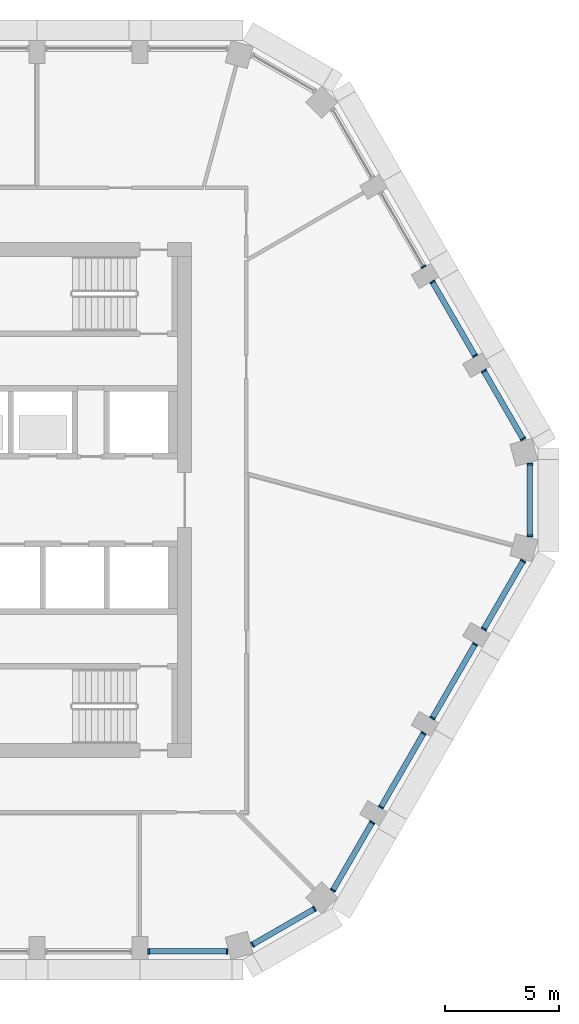
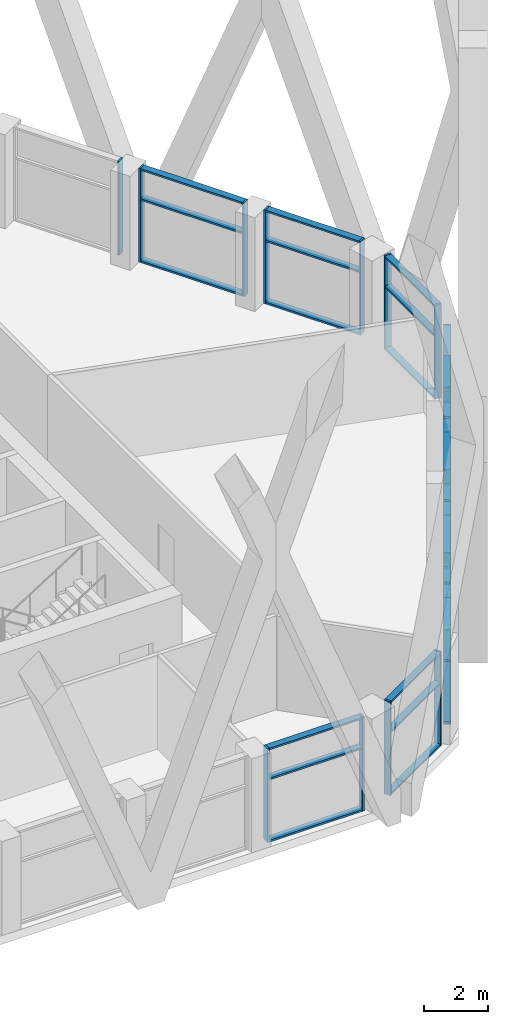
# One storey, part 4 of 20: 46 members, 10 elements without a shape of their own.
"""IFC4 building model written with IfcOpenShell, lengths in metres."""

from ifc_helpers import new_model, si_unit, direction, frame, origin, origin_2d, place, context, subcontext, project, spatial, rectangle, extrude, material, layer, layer_set, material_profile, profile_set, type_object, element, aggregate, save


model = new_model("IFC4")

# Units and contexts
model_context = context("Model", 3, precision=1e-05, world=origin(), true_north=direction((0.0, 1.0)))
body_context = subcontext(model_context, "Body", "Model", "MODEL_VIEW")
ifc_project = project(units=[si_unit("LENGTHUNIT", "METRE"), si_unit("AREAUNIT", "SQUARE_METRE"), si_unit("VOLUMEUNIT", "CUBIC_METRE"), si_unit("PLANEANGLEUNIT", "RADIAN"), si_unit("MASSUNIT", "GRAM", prefix="KILO")], contexts=[model_context])

# Site, building, storey
site_placement = place(None, origin())
site = spatial("IfcSite", under=ifc_project, at=site_placement, CompositionType="ELEMENT")
building_placement = place(site_placement, origin())
building = spatial("IfcBuilding", under=site, at=building_placement, Name="Dhurran Vertical Campus", CompositionType="ELEMENT")
storey_placement = place(building_placement, frame((0.0, 0.0, 235.199951171875)))
storey = spatial("IfcBuildingStorey", under=building, at=storey_placement, Name="L58", CompositionType="ELEMENT", Elevation=235.199951171875)

# Curtain wall, members
ifc_material_1 = material(Name="Aluminium frame with solar-control glass", Category="aluminium")
ifc_layer = layer(ifc_material_1, 0.25)
ifc_layer_set = layer_set([ifc_layer], Name="Aluminium frame with solar-control glass")
curtain_wall_type = type_object("IfcCurtainWallType", Name="Sky lobby glazing system", PredefinedType="NOTDEFINED", material=ifc_layer_set)
curtain_wall_1_placement = place(storey_placement, origin())
curtain_wall_1 = element("IfcCurtainWall", 1, at=curtain_wall_1_placement, inside=storey, type_object=curtain_wall_type, Name="CW3 L58.06", PredefinedType="NOTDEFINED")
ifc_material_2 = material(Name="Aluminium mullion", Category="aluminium")
ifc_material_profile_1 = material_profile(ifc_material_2, rectangle(XDim=0.239990234375, YDim=0.070068359375, at=origin_2d()), Name="Sky lobby glazing system mullion")
ifc_profile_set_1 = profile_set([ifc_material_profile_1], Name="Aluminium mullion")
member_type_1 = type_object("IfcMemberType", Name="Sky lobby glazing system mullion", PredefinedType="MULLION", material=ifc_profile_set_1)
member_1_placement = place(storey_placement, frame((11.635498046875, -19.738525390625, 0.0), z_axis=(0.0, 0.0, 1.0), x_axis=(0.0, 1.0, 0.0)))
member_1 = element("IfcMember", 2, at=member_1_placement, type_object=member_type_1, Name="CW3 mullion 1", PredefinedType="MULLION", context=body_context, shape_type="SweptSolid", body=[
    extrude(rectangle(XDim=0.239990234375, YDim=0.070068359375, at=origin_2d()), origin(), (0.0, 0.0, 1.0), 3.574951171875),
])
member_2_placement = place(storey_placement, frame((15.06298828125, -19.738525390625, 0.0), z_axis=(0.0, 0.0, 1.0), x_axis=(0.0, 1.0, 0.0)))
member_2 = element("IfcMember", 3, at=member_2_placement, type_object=member_type_1, Name="CW3 mullion 2", PredefinedType="MULLION", context=body_context, shape_type="SweptSolid", body=[
    extrude(rectangle(XDim=0.239990234375, YDim=0.070068359375, at=origin_2d()), origin(), (0.0, 0.0, 1.0), 3.574951171875),
])

curtain_wall_2_placement = place(storey_placement, origin())
curtain_wall_2 = element("IfcCurtainWall", 4, at=curtain_wall_2_placement, inside=storey, type_object=curtain_wall_type, Name="CW3 L58.07", PredefinedType="NOTDEFINED")
member_3_placement = place(storey_placement, frame((16.169921875, -19.44189453125, 0.0), z_axis=(0.0, 0.0, 1.0), x_axis=(-0.499998698825, 0.866026155017, 0.0)))
member_3 = element("IfcMember", 5, at=member_3_placement, type_object=member_type_1, Name="CW3 mullion 1", PredefinedType="MULLION", context=body_context, shape_type="SweptSolid", body=[
    extrude(rectangle(XDim=0.239990234375, YDim=0.070068359375, at=origin_2d()), origin(), (0.0, 0.0, 1.0), 3.574951171875),
])
member_4_placement = place(storey_placement, frame((18.877197265625, -17.87890625, 0.0), z_axis=(0.0, 0.0, 1.0), x_axis=(-0.499998698825, 0.866026155017, 0.0)))
member_4 = element("IfcMember", 6, at=member_4_placement, type_object=member_type_1, Name="CW3 mullion 2", PredefinedType="MULLION", context=body_context, shape_type="SweptSolid", body=[
    extrude(rectangle(XDim=0.239990234375, YDim=0.070068359375, at=origin_2d()), origin(), (0.0, 0.0, 1.0), 3.574951171875),
])

curtain_wall_3_placement = place(storey_placement, origin())
curtain_wall_3 = element("IfcCurtainWall", 7, at=curtain_wall_3_placement, inside=storey, type_object=curtain_wall_type, Name="CW3 L58.08", PredefinedType="NOTDEFINED")
member_5_placement = place(storey_placement, frame((19.6875, -17.068603515625, 0.0), z_axis=(0.0, 0.0, 1.0), x_axis=(-0.866019424312, 0.500010356607, 0.0)))
member_5 = element("IfcMember", 8, at=member_5_placement, type_object=member_type_1, Name="CW3 mullion 1", PredefinedType="MULLION", context=body_context, shape_type="SweptSolid", body=[
    extrude(rectangle(XDim=0.239990234375, YDim=0.070068359375, at=origin_2d()), origin(), (0.0, 0.0, 1.0), 3.574951171875),
])
member_6_placement = place(storey_placement, frame((21.4013671875, -14.10009765625, 0.0), z_axis=(0.0, 0.0, 1.0), x_axis=(-0.866019424312, 0.500010356607, 0.0)))
member_6 = element("IfcMember", 9, at=member_6_placement, type_object=member_type_1, Name="CW3 mullion 2", PredefinedType="MULLION", context=body_context, shape_type="SweptSolid", body=[
    extrude(rectangle(XDim=0.239990234375, YDim=0.070068359375, at=origin_2d()), origin(), (0.0, 0.0, 1.0), 3.574951171875),
])

curtain_wall_4_placement = place(storey_placement, origin())
curtain_wall_4 = element("IfcCurtainWall", 10, at=curtain_wall_4_placement, inside=storey, type_object=curtain_wall_type, Name="CW3 L58.09", PredefinedType="NOTDEFINED")
member_7_placement = place(storey_placement, frame((21.786865234375, -13.432373046875, 0.0), z_axis=(0.0, 0.0, 1.0), x_axis=(-0.866023396064, 0.500003477457, 0.0)))
member_7 = element("IfcMember", 11, at=member_7_placement, type_object=member_type_1, Name="CW3 mullion 1", PredefinedType="MULLION", context=body_context, shape_type="SweptSolid", body=[
    extrude(rectangle(XDim=0.239990234375, YDim=0.070068359375, at=origin_2d()), origin(), (0.0, 0.0, 1.0), 3.574951171875),
])
member_8_placement = place(storey_placement, frame((23.6513671875, -10.203125, 0.0), z_axis=(0.0, 0.0, 1.0), x_axis=(-0.866023396064, 0.500003477457, 0.0)))
member_8 = element("IfcMember", 12, at=member_8_placement, type_object=member_type_1, Name="CW3 mullion 2", PredefinedType="MULLION", context=body_context, shape_type="SweptSolid", body=[
    extrude(rectangle(XDim=0.239990234375, YDim=0.070068359375, at=origin_2d()), origin(), (0.0, 0.0, 1.0), 3.574951171875),
])

curtain_wall_5_placement = place(storey_placement, origin())
curtain_wall_5 = element("IfcCurtainWall", 13, at=curtain_wall_5_placement, inside=storey, type_object=curtain_wall_type, Name="CW3 L58.10", PredefinedType="NOTDEFINED")
member_9_placement = place(storey_placement, frame((24.036865234375, -9.535400390625, 0.0), z_axis=(0.0, 0.0, 1.0), x_axis=(-0.866023396064, 0.500003477457, 0.0)))
member_9 = element("IfcMember", 14, at=member_9_placement, type_object=member_type_1, Name="CW3 mullion 1", PredefinedType="MULLION", context=body_context, shape_type="SweptSolid", body=[
    extrude(rectangle(XDim=0.239990234375, YDim=0.070068359375, at=origin_2d()), origin(), (0.0, 0.0, 1.0), 3.574951171875),
])
member_10_placement = place(storey_placement, frame((25.9013671875, -6.305908203125, 0.0), z_axis=(0.0, 0.0, 1.0), x_axis=(-0.866023396064, 0.500003477457, 0.0)))
member_10 = element("IfcMember", 15, at=member_10_placement, type_object=member_type_1, Name="CW3 mullion 2", PredefinedType="MULLION", context=body_context, shape_type="SweptSolid", body=[
    extrude(rectangle(XDim=0.239990234375, YDim=0.070068359375, at=origin_2d()), origin(), (0.0, 0.0, 1.0), 3.574951171875),
])

curtain_wall_6_placement = place(storey_placement, origin())
curtain_wall_6 = element("IfcCurtainWall", 16, at=curtain_wall_6_placement, inside=storey, type_object=curtain_wall_type, Name="CW3 L58.11", PredefinedType="NOTDEFINED")
member_11_placement = place(storey_placement, frame((26.286865234375, -5.63818359375, 0.0), z_axis=(0.0, 0.0, 1.0), x_axis=(-0.866024656678, 0.500001294024, 0.0)))
member_11 = element("IfcMember", 17, at=member_11_placement, type_object=member_type_1, Name="CW3 mullion 1", PredefinedType="MULLION", context=body_context, shape_type="SweptSolid", body=[
    extrude(rectangle(XDim=0.239990234375, YDim=0.070068359375, at=origin_2d()), origin(), (0.0, 0.0, 1.0), 3.574951171875),
])
member_12_placement = place(storey_placement, frame((28.00048828125, -2.669921875, 0.0), z_axis=(0.0, 0.0, 1.0), x_axis=(-0.866024656678, 0.500001294024, 0.0)))
member_12 = element("IfcMember", 18, at=member_12_placement, type_object=member_type_1, Name="CW3 mullion 2", PredefinedType="MULLION", context=body_context, shape_type="SweptSolid", body=[
    extrude(rectangle(XDim=0.239990234375, YDim=0.070068359375, at=origin_2d()), origin(), (0.0, 0.0, 1.0), 3.574951171875),
])

curtain_wall_7_placement = place(storey_placement, origin())
curtain_wall_7 = element("IfcCurtainWall", 19, at=curtain_wall_7_placement, inside=storey, type_object=curtain_wall_type, Name="CW3 L58.12", PredefinedType="NOTDEFINED")
member_13_placement = place(storey_placement, frame((28.297119140625, -1.56298828125, 0.0), z_axis=(0.0, 0.0, 1.0), x_axis=(-1.0, 0.0, 0.0)))
member_13 = element("IfcMember", 20, at=member_13_placement, type_object=member_type_1, Name="CW3 mullion 1", PredefinedType="MULLION", context=body_context, shape_type="SweptSolid", body=[
    extrude(rectangle(XDim=0.239990234375, YDim=0.070068359375, at=origin_2d()), origin(), (0.0, 0.0, 1.0), 3.574951171875),
])
member_14_placement = place(storey_placement, frame((28.297119140625, 1.56298828125, 0.0), z_axis=(0.0, 0.0, 1.0), x_axis=(-1.0, 0.0, 0.0)))
member_14 = element("IfcMember", 21, at=member_14_placement, type_object=member_type_1, Name="CW3 mullion 2", PredefinedType="MULLION", context=body_context, shape_type="SweptSolid", body=[
    extrude(rectangle(XDim=0.239990234375, YDim=0.070068359375, at=origin_2d()), origin(), (0.0, 0.0, 1.0), 3.574951171875),
])

curtain_wall_8_placement = place(storey_placement, origin())
curtain_wall_8 = element("IfcCurtainWall", 22, at=curtain_wall_8_placement, inside=storey, type_object=curtain_wall_type, Name="CW3 L58.13", PredefinedType="NOTDEFINED")
member_15_placement = place(storey_placement, frame((28.00048828125, 2.669921875, 0.0), z_axis=(0.0, 0.0, 1.0), x_axis=(-0.866024656678, -0.500001294024, 0.0)))
member_15 = element("IfcMember", 23, at=member_15_placement, type_object=member_type_1, Name="CW3 mullion 1", PredefinedType="MULLION", context=body_context, shape_type="SweptSolid", body=[
    extrude(rectangle(XDim=0.239990234375, YDim=0.070068359375, at=origin_2d()), origin(), (0.0, 0.0, 1.0), 3.574951171875),
])
member_16_placement = place(storey_placement, frame((26.286865234375, 5.63818359375, 0.0), z_axis=(0.0, 0.0, 1.0), x_axis=(-0.866024656678, -0.500001294024, 0.0)))
member_16 = element("IfcMember", 24, at=member_16_placement, type_object=member_type_1, Name="CW3 mullion 2", PredefinedType="MULLION", context=body_context, shape_type="SweptSolid", body=[
    extrude(rectangle(XDim=0.239990234375, YDim=0.070068359375, at=origin_2d()), origin(), (0.0, 0.0, 1.0), 3.574951171875),
])

curtain_wall_9_placement = place(storey_placement, origin())
curtain_wall_9 = element("IfcCurtainWall", 25, at=curtain_wall_9_placement, inside=storey, type_object=curtain_wall_type, Name="CW3 L58.14", PredefinedType="NOTDEFINED")
member_17_placement = place(storey_placement, frame((25.9013671875, 6.305908203125, 0.0), z_axis=(0.0, 0.0, 1.0), x_axis=(-0.866023396064, -0.500003477457, 0.0)))
member_17 = element("IfcMember", 26, at=member_17_placement, type_object=member_type_1, Name="CW3 mullion 1", PredefinedType="MULLION", context=body_context, shape_type="SweptSolid", body=[
    extrude(rectangle(XDim=0.239990234375, YDim=0.070068359375, at=origin_2d()), origin(), (0.0, 0.0, 1.0), 3.574951171875),
])
member_18_placement = place(storey_placement, frame((24.036865234375, 9.535400390625, 0.0), z_axis=(0.0, 0.0, 1.0), x_axis=(-0.866023396064, -0.500003477457, 0.0)))
member_18 = element("IfcMember", 27, at=member_18_placement, type_object=member_type_1, Name="CW3 mullion 2", PredefinedType="MULLION", context=body_context, shape_type="SweptSolid", body=[
    extrude(rectangle(XDim=0.239990234375, YDim=0.070068359375, at=origin_2d()), origin(), (0.0, 0.0, 1.0), 3.574951171875),
])

# Curtain wall, member
curtain_wall_10_placement = place(storey_placement, origin())
curtain_wall_10 = element("IfcCurtainWall", 28, at=curtain_wall_10_placement, inside=storey, type_object=curtain_wall_type, Name="CW3 L58.15", PredefinedType="NOTDEFINED")
member_19_placement = place(storey_placement, frame((23.6513671875, 10.203125, 0.0), z_axis=(0.0, 0.0, 1.0), x_axis=(-0.866023396064, -0.500003477457, 0.0)))
member_19 = element("IfcMember", 29, at=member_19_placement, type_object=member_type_1, Name="CW3 mullion 1", PredefinedType="MULLION", context=body_context, shape_type="SweptSolid", body=[
    extrude(rectangle(XDim=0.239990234375, YDim=0.070068359375, at=origin_2d()), origin(), (0.0, 0.0, 1.0), 3.574951171875),
])
aggregate(curtain_wall_10, [member_19])

# Member
ifc_material_3 = material(Name="Aluminium transom", Category="aluminium")
ifc_material_profile_2 = material_profile(ifc_material_3, rectangle(XDim=0.239990234375, YDim=0.070068359375, at=origin_2d()), Name="Sky lobby glazing system transom")
ifc_profile_set_2 = profile_set([ifc_material_profile_2], Name="Aluminium transom")
member_type_2 = type_object("IfcMemberType", Name="Sky lobby glazing system transom", PredefinedType="USERDEFINED", material=ifc_profile_set_2)
member_20_placement = place(storey_placement, frame((11.67041015625, -19.738525390625, 0.03515625), z_axis=(1.0, 0.0, 0.0), x_axis=(0.0, 1.0, 0.0)))
member_20 = element("IfcMember", 30, at=member_20_placement, type_object=member_type_2, Name="CW3 transom 1.1", ObjectType="TRANSOM", PredefinedType="USERDEFINED", context=body_context, shape_type="SweptSolid", body=[
    extrude(rectangle(XDim=0.239990234375, YDim=0.070068359375, at=origin_2d()), origin(), (0.0, 0.0, 1.0), 3.357666015625),
])

member_21_placement = place(storey_placement, frame((11.67041015625, -19.738525390625, 2.400146484375), z_axis=(1.0, 0.0, 0.0), x_axis=(0.0, 1.0, 0.0)))
member_21 = element("IfcMember", 31, at=member_21_placement, type_object=member_type_2, Name="CW3 transom 1.2", ObjectType="TRANSOM", PredefinedType="USERDEFINED", context=body_context, shape_type="SweptSolid", body=[
    extrude(rectangle(XDim=0.239990234375, YDim=0.070068359375, at=origin_2d()), origin(), (0.0, 0.0, 1.0), 3.357666015625),
])

member_22_placement = place(storey_placement, frame((11.67041015625, -19.738525390625, 3.5400390625), z_axis=(1.0, 0.0, 0.0), x_axis=(0.0, 1.0, 0.0)))
member_22 = element("IfcMember", 32, at=member_22_placement, type_object=member_type_2, Name="CW3 transom 1.3", ObjectType="TRANSOM", PredefinedType="USERDEFINED", context=body_context, shape_type="SweptSolid", body=[
    extrude(rectangle(XDim=0.239990234375, YDim=0.070068359375, at=origin_2d()), origin(), (0.0, 0.0, 1.0), 3.357666015625),
])

aggregate(curtain_wall_1, [member_1, member_2, member_20, member_21, member_22])

member_23_placement = place(storey_placement, frame((16.2001953125, -19.42431640625, 0.03515625), z_axis=(0.866027280971, 0.499996748603, 0.0), x_axis=(-0.499996748603, 0.866027280971, 0.0)))
member_23 = element("IfcMember", 33, at=member_23_placement, type_object=member_type_2, Name="CW3 transom 1.1", ObjectType="TRANSOM", PredefinedType="USERDEFINED", context=body_context, shape_type="SweptSolid", body=[
    extrude(rectangle(XDim=0.239990234375, YDim=0.070068359375, at=origin_2d()), origin(), (0.0, 0.0, 1.0), 3.05615234375),
])

member_24_placement = place(storey_placement, frame((16.2001953125, -19.42431640625, 2.400146484375), z_axis=(0.866027280971, 0.499996748603, 0.0), x_axis=(-0.499996748603, 0.866027280971, 0.0)))
member_24 = element("IfcMember", 34, at=member_24_placement, type_object=member_type_2, Name="CW3 transom 1.2", ObjectType="TRANSOM", PredefinedType="USERDEFINED", context=body_context, shape_type="SweptSolid", body=[
    extrude(rectangle(XDim=0.239990234375, YDim=0.070068359375, at=origin_2d()), origin(), (0.0, 0.0, 1.0), 3.05615234375),
])

member_25_placement = place(storey_placement, frame((16.2001953125, -19.42431640625, 3.5400390625), z_axis=(0.866027280971, 0.499996748603, 0.0), x_axis=(-0.499996748603, 0.866027280971, 0.0)))
member_25 = element("IfcMember", 35, at=member_25_placement, type_object=member_type_2, Name="CW3 transom 1.3", ObjectType="TRANSOM", PredefinedType="USERDEFINED", context=body_context, shape_type="SweptSolid", body=[
    extrude(rectangle(XDim=0.239990234375, YDim=0.070068359375, at=origin_2d()), origin(), (0.0, 0.0, 1.0), 3.05615234375),
])

aggregate(curtain_wall_2, [member_3, member_4, member_23, member_24, member_25])

member_26_placement = place(storey_placement, frame((19.704833984375, -17.038330078125, 0.03515625), z_axis=(0.500041352309, 0.866001527701, 0.0), x_axis=(-0.866001527701, 0.500041352309, 0.0)))
member_26 = element("IfcMember", 36, at=member_26_placement, type_object=member_type_2, Name="CW3 transom 1.1", ObjectType="TRANSOM", PredefinedType="USERDEFINED", context=body_context, shape_type="SweptSolid", body=[
    extrude(rectangle(XDim=0.239990234375, YDim=0.070068359375, at=origin_2d()), origin(), (0.0, 0.0, 1.0), 3.357666015625),
])

member_27_placement = place(storey_placement, frame((19.704833984375, -17.038330078125, 2.400146484375), z_axis=(0.500041352309, 0.866001527701, 0.0), x_axis=(-0.866001527701, 0.500041352309, 0.0)))
member_27 = element("IfcMember", 37, at=member_27_placement, type_object=member_type_2, Name="CW3 transom 1.2", ObjectType="TRANSOM", PredefinedType="USERDEFINED", context=body_context, shape_type="SweptSolid", body=[
    extrude(rectangle(XDim=0.239990234375, YDim=0.070068359375, at=origin_2d()), origin(), (0.0, 0.0, 1.0), 3.357666015625),
])

member_28_placement = place(storey_placement, frame((19.704833984375, -17.038330078125, 3.5400390625), z_axis=(0.500041352309, 0.866001527701, 0.0), x_axis=(-0.866001527701, 0.500041352309, 0.0)))
member_28 = element("IfcMember", 38, at=member_28_placement, type_object=member_type_2, Name="CW3 transom 1.3", ObjectType="TRANSOM", PredefinedType="USERDEFINED", context=body_context, shape_type="SweptSolid", body=[
    extrude(rectangle(XDim=0.239990234375, YDim=0.070068359375, at=origin_2d()), origin(), (0.0, 0.0, 1.0), 3.357666015625),
])

aggregate(curtain_wall_3, [member_5, member_6, member_26, member_27, member_28])

member_29_placement = place(storey_placement, frame((21.80419921875, -13.402099609375, 0.03515625), z_axis=(0.500028567022, 0.866008909978, 0.0), x_axis=(-0.866008909978, 0.500028567022, 0.0)))
member_29 = element("IfcMember", 39, at=member_29_placement, type_object=member_type_2, Name="CW3 transom 1.1", ObjectType="TRANSOM", PredefinedType="USERDEFINED", context=body_context, shape_type="SweptSolid", body=[
    extrude(rectangle(XDim=0.239990234375, YDim=0.070068359375, at=origin_2d()), origin(), (0.0, 0.0, 1.0), 3.658935546875),
])

member_30_placement = place(storey_placement, frame((21.80419921875, -13.402099609375, 2.400146484375), z_axis=(0.500028567022, 0.866008909978, 0.0), x_axis=(-0.866008909978, 0.500028567022, 0.0)))
member_30 = element("IfcMember", 40, at=member_30_placement, type_object=member_type_2, Name="CW3 transom 1.2", ObjectType="TRANSOM", PredefinedType="USERDEFINED", context=body_context, shape_type="SweptSolid", body=[
    extrude(rectangle(XDim=0.239990234375, YDim=0.070068359375, at=origin_2d()), origin(), (0.0, 0.0, 1.0), 3.658935546875),
])

member_31_placement = place(storey_placement, frame((21.80419921875, -13.402099609375, 3.5400390625), z_axis=(0.500028567022, 0.866008909978, 0.0), x_axis=(-0.866008909978, 0.500028567022, 0.0)))
member_31 = element("IfcMember", 41, at=member_31_placement, type_object=member_type_2, Name="CW3 transom 1.3", ObjectType="TRANSOM", PredefinedType="USERDEFINED", context=body_context, shape_type="SweptSolid", body=[
    extrude(rectangle(XDim=0.239990234375, YDim=0.070068359375, at=origin_2d()), origin(), (0.0, 0.0, 1.0), 3.658935546875),
])

aggregate(curtain_wall_4, [member_7, member_8, member_29, member_30, member_31])

member_32_placement = place(storey_placement, frame((24.05419921875, -9.505126953125, 0.03515625), z_axis=(0.500028567022, 0.866008909978, 0.0), x_axis=(-0.866008909978, 0.500028567022, 0.0)))
member_32 = element("IfcMember", 42, at=member_32_placement, type_object=member_type_2, Name="CW3 transom 1.1", ObjectType="TRANSOM", PredefinedType="USERDEFINED", context=body_context, shape_type="SweptSolid", body=[
    extrude(rectangle(XDim=0.239990234375, YDim=0.070068359375, at=origin_2d()), origin(), (0.0, 0.0, 1.0), 3.658935546875),
])

member_33_placement = place(storey_placement, frame((24.05419921875, -9.505126953125, 2.400146484375), z_axis=(0.500028567022, 0.866008909978, 0.0), x_axis=(-0.866008909978, 0.500028567022, 0.0)))
member_33 = element("IfcMember", 43, at=member_33_placement, type_object=member_type_2, Name="CW3 transom 1.2", ObjectType="TRANSOM", PredefinedType="USERDEFINED", context=body_context, shape_type="SweptSolid", body=[
    extrude(rectangle(XDim=0.239990234375, YDim=0.070068359375, at=origin_2d()), origin(), (0.0, 0.0, 1.0), 3.658935546875),
])

member_34_placement = place(storey_placement, frame((24.05419921875, -9.505126953125, 3.5400390625), z_axis=(0.500028567022, 0.866008909978, 0.0), x_axis=(-0.866008909978, 0.500028567022, 0.0)))
member_34 = element("IfcMember", 44, at=member_34_placement, type_object=member_type_2, Name="CW3 transom 1.3", ObjectType="TRANSOM", PredefinedType="USERDEFINED", context=body_context, shape_type="SweptSolid", body=[
    extrude(rectangle(XDim=0.239990234375, YDim=0.070068359375, at=origin_2d()), origin(), (0.0, 0.0, 1.0), 3.658935546875),
])

aggregate(curtain_wall_5, [member_9, member_10, member_32, member_33, member_34])

member_35_placement = place(storey_placement, frame((26.30419921875, -5.60791015625, 0.03515625), z_axis=(0.500041352309, 0.866001527701, 0.0), x_axis=(-0.866001527701, 0.500041352309, 0.0)))
member_35 = element("IfcMember", 45, at=member_35_placement, type_object=member_type_2, Name="CW3 transom 1.1", ObjectType="TRANSOM", PredefinedType="USERDEFINED", context=body_context, shape_type="SweptSolid", body=[
    extrude(rectangle(XDim=0.239990234375, YDim=0.070068359375, at=origin_2d()), origin(), (0.0, 0.0, 1.0), 3.357666015625),
])

member_36_placement = place(storey_placement, frame((26.30419921875, -5.60791015625, 2.400146484375), z_axis=(0.500041352309, 0.866001527701, 0.0), x_axis=(-0.866001527701, 0.500041352309, 0.0)))
member_36 = element("IfcMember", 46, at=member_36_placement, type_object=member_type_2, Name="CW3 transom 1.2", ObjectType="TRANSOM", PredefinedType="USERDEFINED", context=body_context, shape_type="SweptSolid", body=[
    extrude(rectangle(XDim=0.239990234375, YDim=0.070068359375, at=origin_2d()), origin(), (0.0, 0.0, 1.0), 3.357666015625),
])

member_37_placement = place(storey_placement, frame((26.30419921875, -5.60791015625, 3.5400390625), z_axis=(0.500041352309, 0.866001527701, 0.0), x_axis=(-0.866001527701, 0.500041352309, 0.0)))
member_37 = element("IfcMember", 47, at=member_37_placement, type_object=member_type_2, Name="CW3 transom 1.3", ObjectType="TRANSOM", PredefinedType="USERDEFINED", context=body_context, shape_type="SweptSolid", body=[
    extrude(rectangle(XDim=0.239990234375, YDim=0.070068359375, at=origin_2d()), origin(), (0.0, 0.0, 1.0), 3.357666015625),
])

aggregate(curtain_wall_6, [member_11, member_12, member_35, member_36, member_37])

member_38_placement = place(storey_placement, frame((28.297119140625, -1.528076171875, 0.03515625), z_axis=(0.0, 1.0, 0.0), x_axis=(-1.0, 0.0, 0.0)))
member_38 = element("IfcMember", 48, at=member_38_placement, type_object=member_type_2, Name="CW3 transom 1.1", ObjectType="TRANSOM", PredefinedType="USERDEFINED", context=body_context, shape_type="SweptSolid", body=[
    extrude(rectangle(XDim=0.239990234375, YDim=0.070068359375, at=origin_2d()), origin(), (0.0, 0.0, 1.0), 3.05615234375),
])

member_39_placement = place(storey_placement, frame((28.297119140625, -1.528076171875, 2.400146484375), z_axis=(0.0, 1.0, 0.0), x_axis=(-1.0, 0.0, 0.0)))
member_39 = element("IfcMember", 49, at=member_39_placement, type_object=member_type_2, Name="CW3 transom 1.2", ObjectType="TRANSOM", PredefinedType="USERDEFINED", context=body_context, shape_type="SweptSolid", body=[
    extrude(rectangle(XDim=0.239990234375, YDim=0.070068359375, at=origin_2d()), origin(), (0.0, 0.0, 1.0), 3.05615234375),
])

member_40_placement = place(storey_placement, frame((28.297119140625, -1.528076171875, 3.5400390625), z_axis=(0.0, 1.0, 0.0), x_axis=(-1.0, 0.0, 0.0)))
member_40 = element("IfcMember", 50, at=member_40_placement, type_object=member_type_2, Name="CW3 transom 1.3", ObjectType="TRANSOM", PredefinedType="USERDEFINED", context=body_context, shape_type="SweptSolid", body=[
    extrude(rectangle(XDim=0.239990234375, YDim=0.070068359375, at=origin_2d()), origin(), (0.0, 0.0, 1.0), 3.05615234375),
])

aggregate(curtain_wall_7, [member_13, member_14, member_38, member_39, member_40])

member_41_placement = place(storey_placement, frame((27.983154296875, 2.7001953125, 0.03515625), z_axis=(-0.500041352309, 0.866001527701, 0.0), x_axis=(-0.866001527701, -0.500041352309, 0.0)))
member_41 = element("IfcMember", 51, at=member_41_placement, type_object=member_type_2, Name="CW3 transom 1.1", ObjectType="TRANSOM", PredefinedType="USERDEFINED", context=body_context, shape_type="SweptSolid", body=[
    extrude(rectangle(XDim=0.239990234375, YDim=0.070068359375, at=origin_2d()), origin(), (0.0, 0.0, 1.0), 3.357666015625),
])

member_42_placement = place(storey_placement, frame((27.983154296875, 2.7001953125, 2.400146484375), z_axis=(-0.500041352309, 0.866001527701, 0.0), x_axis=(-0.866001527701, -0.500041352309, 0.0)))
member_42 = element("IfcMember", 52, at=member_42_placement, type_object=member_type_2, Name="CW3 transom 1.2", ObjectType="TRANSOM", PredefinedType="USERDEFINED", context=body_context, shape_type="SweptSolid", body=[
    extrude(rectangle(XDim=0.239990234375, YDim=0.070068359375, at=origin_2d()), origin(), (0.0, 0.0, 1.0), 3.357666015625),
])

member_43_placement = place(storey_placement, frame((27.983154296875, 2.7001953125, 3.5400390625), z_axis=(-0.500041352309, 0.866001527701, 0.0), x_axis=(-0.866001527701, -0.500041352309, 0.0)))
member_43 = element("IfcMember", 53, at=member_43_placement, type_object=member_type_2, Name="CW3 transom 1.3", ObjectType="TRANSOM", PredefinedType="USERDEFINED", context=body_context, shape_type="SweptSolid", body=[
    extrude(rectangle(XDim=0.239990234375, YDim=0.070068359375, at=origin_2d()), origin(), (0.0, 0.0, 1.0), 3.357666015625),
])

aggregate(curtain_wall_8, [member_15, member_16, member_41, member_42, member_43])

member_44_placement = place(storey_placement, frame((25.8837890625, 6.33642578125, 0.03515625), z_axis=(-0.500028567022, 0.866008909978, 0.0), x_axis=(-0.866008909978, -0.500028567022, 0.0)))
member_44 = element("IfcMember", 54, at=member_44_placement, type_object=member_type_2, Name="CW3 transom 1.1", ObjectType="TRANSOM", PredefinedType="USERDEFINED", context=body_context, shape_type="SweptSolid", body=[
    extrude(rectangle(XDim=0.239990234375, YDim=0.070068359375, at=origin_2d()), origin(), (0.0, 0.0, 1.0), 3.658935546875),
])

member_45_placement = place(storey_placement, frame((25.8837890625, 6.33642578125, 2.400146484375), z_axis=(-0.500028567022, 0.866008909978, 0.0), x_axis=(-0.866008909978, -0.500028567022, 0.0)))
member_45 = element("IfcMember", 55, at=member_45_placement, type_object=member_type_2, Name="CW3 transom 1.2", ObjectType="TRANSOM", PredefinedType="USERDEFINED", context=body_context, shape_type="SweptSolid", body=[
    extrude(rectangle(XDim=0.239990234375, YDim=0.070068359375, at=origin_2d()), origin(), (0.0, 0.0, 1.0), 3.658935546875),
])

member_46_placement = place(storey_placement, frame((25.8837890625, 6.33642578125, 3.5400390625), z_axis=(-0.500028567022, 0.866008909978, 0.0), x_axis=(-0.866008909978, -0.500028567022, 0.0)))
member_46 = element("IfcMember", 56, at=member_46_placement, type_object=member_type_2, Name="CW3 transom 1.3", ObjectType="TRANSOM", PredefinedType="USERDEFINED", context=body_context, shape_type="SweptSolid", body=[
    extrude(rectangle(XDim=0.239990234375, YDim=0.070068359375, at=origin_2d()), origin(), (0.0, 0.0, 1.0), 3.658935546875),
])

aggregate(curtain_wall_9, [member_17, member_18, member_44, member_45, member_46])

save(model, "model.ifc")
